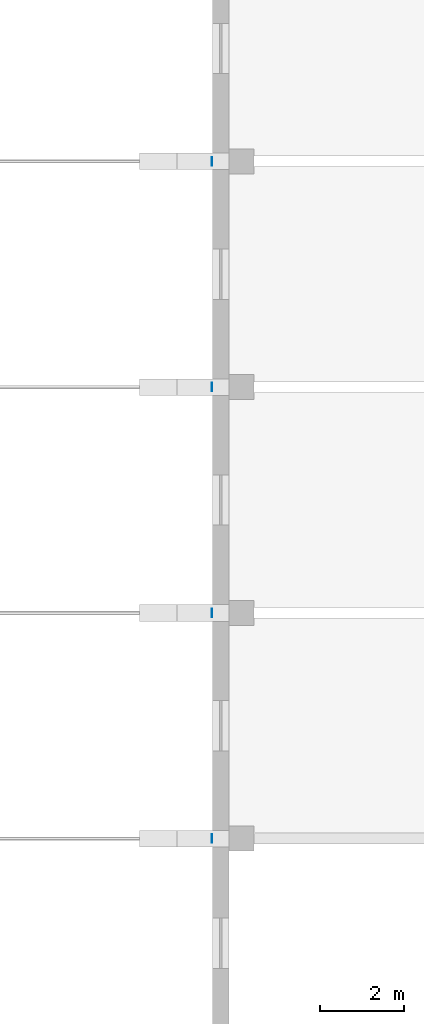
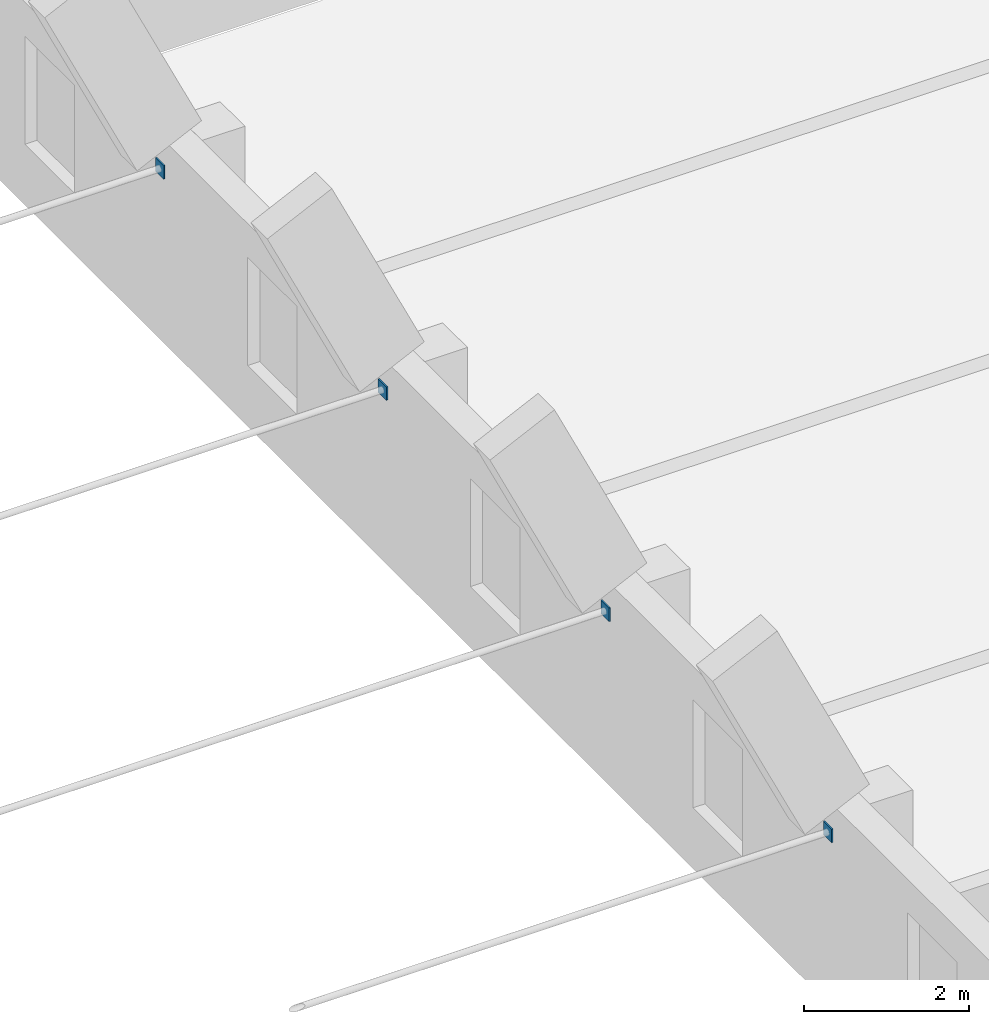
# One storey, part 83 of 115: 4 discrete accessories.
"""IFC4 building model written with IfcOpenShell, lengths in metres."""

from ifc_helpers import new_model, si_unit, direction, frame, origin, origin_2d, place, context, subcontext, project, spatial, rectangle, extrude, material, layer, layer_set, type_object, element, save


model = new_model("IFC4")

# Units and contexts
model_context = context("Model", 3, precision=1e-05, world=origin(), true_north=direction((0.0, 1.0)))
body_context = subcontext(model_context, "Body", "Model", "MODEL_VIEW")
ifc_project = project(units=[si_unit("LENGTHUNIT", "METRE"), si_unit("AREAUNIT", "SQUARE_METRE"), si_unit("VOLUMEUNIT", "CUBIC_METRE"), si_unit("PLANEANGLEUNIT", "RADIAN"), si_unit("MASSUNIT", "GRAM", prefix="KILO")], contexts=[model_context])

# Site, building, storey
site_placement = place(None, origin())
site = spatial("IfcSite", under=ifc_project, at=site_placement, CompositionType="ELEMENT")
building_placement = place(site_placement, origin())
building = spatial("IfcBuilding", under=site, at=building_placement, Name="Ridgestep Commons", CompositionType="ELEMENT")
storey_placement = place(building_placement, frame((0.0, 0.0, 6.0)))
storey = spatial("IfcBuildingStorey", under=building, at=storey_placement, Name="L02", CompositionType="ELEMENT", Elevation=6.0)

# Discrete accessories
ifc_material = material(Name="Structural steel S355JR", Category="steel")
ifc_layer = layer(ifc_material, 0.02001953125)
ifc_layer_set = layer_set([ifc_layer], Name="Hall tie rod end plate 200 x 200 x 20")
discrete_accessory_type = type_object("IfcDiscreteAccessoryType", Name="Hall tie rod end plate 200 x 200 x 20", PredefinedType="BRACKET", material=ifc_layer_set)
for number, where, z_axis, x_axis, name in (
    (1, (144.7900390625, 37.60009765625, 2.4501953125), (0.0, 0.0, 1.0), (1.0, 0.0, 0.0), "Hall tie rod end plate 1E"),
    (2, (144.7900390625, 43.0, 2.4501953125), (0.0, 0.0, 1.0), (1.0, 0.0, 0.0), "Hall tie rod end plate 2E"),
    (3, (144.7900390625, 48.39990234375, 2.4501953125), (0.0, 0.0, 1.0), (1.0, 0.0, 0.0), "Hall tie rod end plate 3E"),
    (4, (144.7900390625, 53.800048828125, 2.4501953125), (0.0, 0.0, 1.0), (1.0, 0.0, 0.0), "Hall tie rod end plate 4E"),
):
    element("IfcDiscreteAccessory", number, at=place(storey_placement, frame(where, z_axis=z_axis, x_axis=x_axis)), inside=storey, type_object=discrete_accessory_type, Name=name, PredefinedType="BRACKET", context=body_context, shape_type="SweptSolid", body=[
        extrude(rectangle(XDim=0.02001953125, YDim=0.199951171875, at=origin_2d()), origin(), (0.0, 0.0, 1.0), 0.199951171875),
    ])

save(model, "model.ifc")
